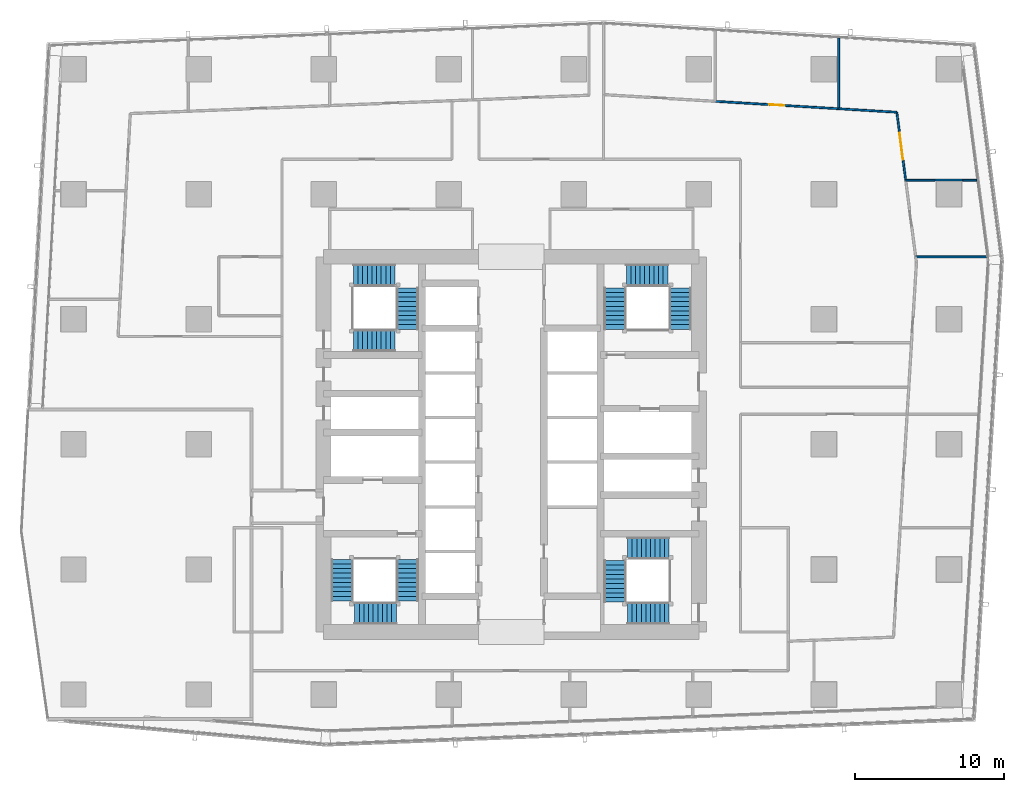
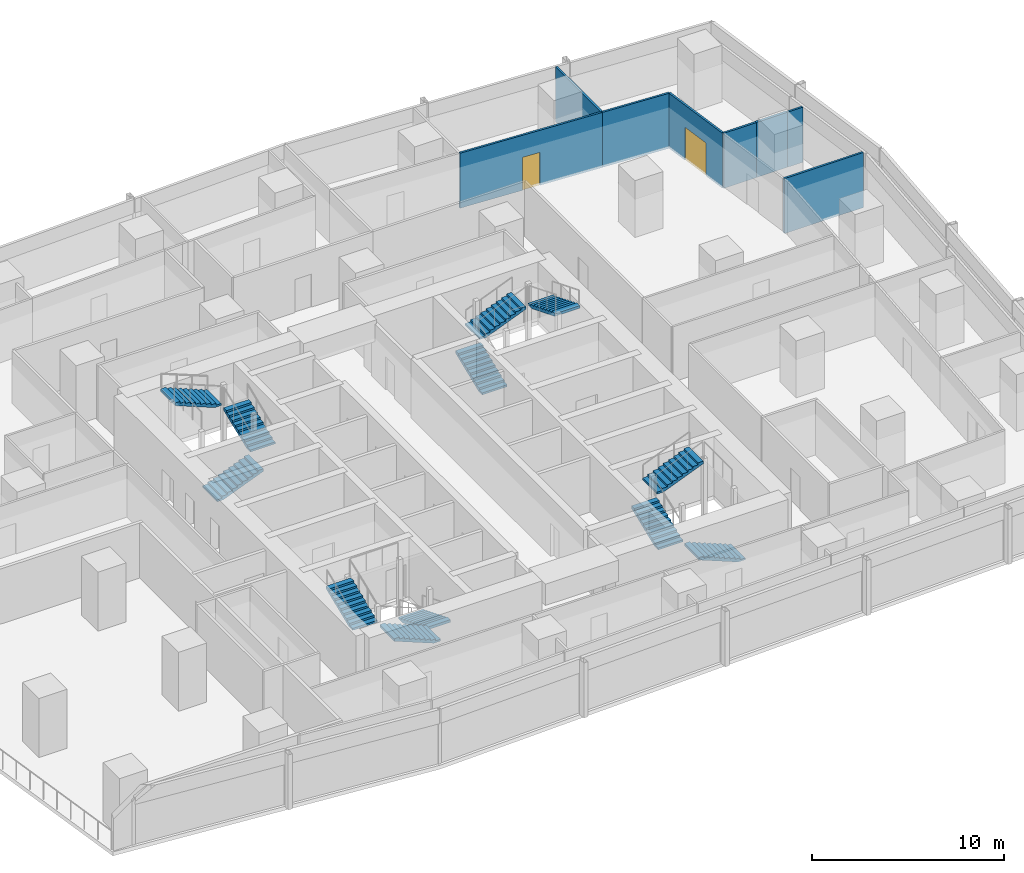
# One storey, part 30 of 38: 12 stair flights, 8 walls, 2 doors, 2 openings, 4 elements without a shape of their own.
"""IFC4 building model written with IfcOpenShell, lengths in metres."""

from ifc_helpers import new_model, si_unit, direction, frame, frame_2d, origin, place, context, subcontext, project, spatial, polyline, rectangle, outline, extrude, material, layer, layer_set, type_object, element, fill, aggregate, save


model = new_model("IFC4")

# Units and contexts
model_context = context("Model", 3, precision=1e-05, world=origin(), true_north=direction((0.0, 1.0)))
body_context = subcontext(model_context, "Body", "Model", "MODEL_VIEW")
ifc_project = project(units=[si_unit("LENGTHUNIT", "METRE"), si_unit("AREAUNIT", "SQUARE_METRE"), si_unit("VOLUMEUNIT", "CUBIC_METRE"), si_unit("PLANEANGLEUNIT", "RADIAN"), si_unit("MASSUNIT", "GRAM", prefix="KILO")], contexts=[model_context])

# Site, building, storey
site_placement = place(None, origin())
site = spatial("IfcSite", under=ifc_project, at=site_placement, CompositionType="ELEMENT")
building_placement = place(site_placement, origin())
building = spatial("IfcBuilding", under=site, at=building_placement, Name="Rekha Terrace Tower", CompositionType="ELEMENT")
storey_placement = place(building_placement, frame((0.0, 0.0, 114.050048828125)))
storey = spatial("IfcBuildingStorey", under=building, at=storey_placement, Name="L28", CompositionType="ELEMENT", Elevation=114.050048828125)

# Walls
ifc_material_1 = material(Name="Concrete block masonry, 1 hour", Category="masonry")
ifc_layer_1 = layer(ifc_material_1, 0.14990234375)
ifc_layer_set_1 = layer_set([ifc_layer_1], Name="Concrete block masonry, 1 hour")
wall_type_1 = type_object("IfcWallType", Name="WP2 150 tenancy partition", PredefinedType="PARTITIONING", material=ifc_layer_set_1)
wall_1_placement = place(storey_placement, frame((68.139892578125, 51.35498046875, 0.0), z_axis=(0.0, 0.0, 1.0), x_axis=(-1.0, 0.0, 0.0)))
element("IfcWall", 1, at=wall_1_placement, inside=storey, type_object=wall_type_1, Name="Partition L28-O1", PredefinedType="PARTITIONING", context=body_context, shape_type="SweptSolid", body=[
    extrude(rectangle(XDim=1.8798828125, YDim=0.14990234375, at=frame_2d((0.93994140625, 0.0))), origin(), (0.0, 0.0, 1.0), 3.5),
])
ifc_material_2 = material(Name="Two layers of fire-rated gypsum board each side on steel studs, acoustic quilt, 1 hour", Category="steel")
ifc_layer_2 = layer(ifc_material_2, 0.125)
ifc_layer_set_2 = layer_set([ifc_layer_2], Name="Two layers of fire-rated gypsum board each side on steel studs, acoustic quilt, 1 hour")
wall_type_2 = type_object("IfcWallType", Name="WP3 125 office partition", PredefinedType="PARTITIONING", material=ifc_layer_set_2)
wall_2_placement = place(storey_placement, frame((64.966064453125, 46.196044921875, 0.0), z_axis=(0.0, 0.0, 1.0), x_axis=(1.0, 0.0, 0.0)))
element("IfcWall", 2, at=wall_2_placement, inside=storey, type_object=wall_type_2, Name="Partition L28-06", PredefinedType="PARTITIONING", context=body_context, shape_type="SweptSolid", body=[
    extrude(rectangle(XDim=4.760009765625, YDim=0.125, at=frame_2d((2.3798828125, 0.0))), origin(), (0.0, 0.0, 1.0), 3.5),
])
wall_3_placement = place(storey_placement, frame((64.297119140625, 51.337890625, 0.0), z_axis=(0.0, 0.0, 1.0), x_axis=(1.0, 0.0, 0.0)))
element("IfcWall", 3, at=wall_3_placement, inside=storey, type_object=wall_type_2, Name="Partition L28-07", PredefinedType="PARTITIONING", context=body_context, shape_type="SweptSolid", body=[
    extrude(rectangle(XDim=1.962890625, YDim=0.125, at=frame_2d((0.9814453125, 0.0))), origin(), (0.0, 0.0, 1.0), 3.5),
])
wall_4_placement = place(storey_placement, frame((68.139892578125, 51.337890625, 0.0), z_axis=(0.0, 0.0, 1.0), x_axis=(1.0, 0.0, 0.0)))
element("IfcWall", 4, at=wall_4_placement, inside=storey, type_object=wall_type_2, Name="Partition L28-07", PredefinedType="PARTITIONING", context=body_context, shape_type="SweptSolid", body=[
    extrude(rectangle(XDim=0.9169921875, YDim=0.125, at=frame_2d((0.45849609375, 0.0))), origin(), (0.0, 0.0, 1.0), 3.5),
])
wall_5_placement = place(storey_placement, frame((59.7880859375, 56.14501953125, 0.0), z_axis=(0.0, 0.0, 1.0), x_axis=(0.0, 1.0, 0.0)))
element("IfcWall", 5, at=wall_5_placement, inside=storey, type_object=wall_type_2, Name="Partition L28-08", PredefinedType="PARTITIONING", context=body_context, shape_type="SweptSolid", body=[
    extrude(rectangle(XDim=4.758056640625, YDim=0.125, at=frame_2d((2.37890625, 0.0))), origin(), (0.0, 0.0, 1.0), 3.5),
])

# Wall, opening, door
wall_6_placement = place(storey_placement, frame((64.297119140625, 51.339111328125, 0.0), z_axis=(0.0, 0.0, 1.0), x_axis=(-0.129339184068, 0.991600411186, 0.0)))
wall_6 = element("IfcWall", 6, at=wall_6_placement, inside=storey, type_object=wall_type_2, Name="Partition L28-08", PredefinedType="PARTITIONING", context=body_context, shape_type="SweptSolid", body=[
    extrude(rectangle(XDim=4.609619140625, YDim=0.125, at=frame_2d((2.3046875, 0.0))), origin(), (0.0, 0.0, 1.0), 3.5),
])
opening_1_placement = place(wall_6_placement, frame((1.405029296875, 0.0, 0.0)))
opening_1 = element("IfcOpeningElement", 7, at=opening_1_placement, cuts=wall_6, Name="Opening D8", PredefinedType="OPENING", context=body_context, shape_type="SweptSolid", body=[
    extrude(rectangle(XDim=1.800048828125, YDim=2.10009765625, at=frame_2d((0.89990234375, 1.050048828125))), frame((0.0, 0.072509765625, 0.0), z_axis=(0.0, -1.0, 0.0), x_axis=(1.0, 0.0, 0.0)), (0.0, 0.0, 1.0), 0.14501953125),
])
ifc_material_3 = material(Name="Timber fire door", Category="wood")
door_type_1 = type_object("IfcDoorType", Name="D8 1800x2100 double leaf door", OperationType="DOUBLE_DOOR_SINGLE_SWING", PredefinedType="DOOR", material=ifc_material_3)
door_1_placement = place(opening_1_placement, origin())
door_1 = element("IfcDoor", 8, at=door_1_placement, inside=storey, type_object=door_type_1, Name="Door meeting room L28", OperationType="DOUBLE_DOOR_SINGLE_SWING", OverallHeight=2.10009765625, OverallWidth=1.800048828125, PredefinedType="DOOR", context=body_context, shape_type="SweptSolid", body=[
    extrude(rectangle(XDim=1.800048828125, YDim=2.10009765625, at=frame_2d((0.89990234375, 1.050048828125))), frame((0.0, 0.02490234375, 0.0), z_axis=(0.0, -1.0, 0.0), x_axis=(1.0, 0.0, 0.0)), (0.0, 0.0, 1.0), 0.050048828125),
])
fill(opening_1, door_1)

# Wall
wall_7_placement = place(storey_placement, frame((63.700927734375, 55.909912109375, 0.0), z_axis=(0.0, 0.0, 1.0), x_axis=(-0.998199703309, 0.059977931883, 0.0)))
element("IfcWall", 9, at=wall_7_placement, inside=storey, type_object=wall_type_2, Name="Partition L28-08", PredefinedType="PARTITIONING", context=body_context, shape_type="SweptSolid", body=[
    extrude(rectangle(XDim=3.919921875, YDim=0.125, at=frame_2d((1.9599609375, 0.0))), origin(), (0.0, 0.0, 1.0), 3.5),
])

# Wall, opening, door
wall_8_placement = place(storey_placement, frame((59.787109375, 56.14501953125, 0.0), z_axis=(0.0, 0.0, 1.0), x_axis=(-0.998201048184, 0.059955545233, 0.0)))
wall_8 = element("IfcWall", 10, at=wall_8_placement, inside=storey, type_object=wall_type_2, Name="Partition L28-09", PredefinedType="PARTITIONING", context=body_context, shape_type="SweptSolid", body=[
    extrude(rectangle(XDim=8.306884765625, YDim=0.125, at=frame_2d((4.1533203125, 0.0))), origin(), (0.0, 0.0, 1.0), 3.5),
])
opening_2_placement = place(wall_8_placement, frame((3.653076171875, 0.0, 0.0)))
opening_2 = element("IfcOpeningElement", 11, at=opening_2_placement, cuts=wall_8, Name="Opening D9", PredefinedType="OPENING", context=body_context, shape_type="SweptSolid", body=[
    extrude(rectangle(XDim=1.0, YDim=2.10009765625, at=frame_2d((0.5, 1.050048828125))), frame((0.0, 0.072509765625, 0.0), z_axis=(0.0, -1.0, 0.0), x_axis=(1.0, 0.0, 0.0)), (0.0, 0.0, 1.0), 0.14501953125),
])
door_type_2 = type_object("IfcDoorType", Name="D9 1000x2100 office door", OperationType="SINGLE_SWING_LEFT", PredefinedType="DOOR", material=ifc_material_3)
door_2_placement = place(opening_2_placement, origin())
door_2 = element("IfcDoor", 12, at=door_2_placement, inside=storey, type_object=door_type_2, Name="Door office L28", OperationType="SINGLE_SWING_LEFT", OverallHeight=2.10009765625, OverallWidth=1.0, PredefinedType="DOOR", context=body_context, shape_type="SweptSolid", body=[
    extrude(rectangle(XDim=1.0, YDim=2.10009765625, at=frame_2d((0.5, 1.050048828125))), frame((0.0, 0.02490234375, 0.0), z_axis=(0.0, -1.0, 0.0), x_axis=(1.0, 0.0, 0.0)), (0.0, 0.0, 1.0), 0.050048828125),
])
fill(opening_2, door_2)

# Stair, stair flights
ifc_material_4 = material(Name="Concrete M40", Category="concrete")
stair_type = type_object("IfcStairType", Name="ST30 stair, 30 risers of 125, going 310, 1500 wide flights, 3 flights", PredefinedType="HALF_TURN_STAIR", material=ifc_material_4)
stair_1_placement = place(storey_placement, origin())
stair_1 = element("IfcStair", 13, at=stair_1_placement, inside=storey, type_object=stair_type, Name="Stair ST1 L28 to L29", PredefinedType="HALF_TURN_STAIR")
stair_flight_type = type_object("IfcStairFlightType", Name="SF10 stair flight, 10 risers of 125, going 310, 1500 wide", PredefinedType="STRAIGHT", material=ifc_material_4)
stair_flight_1_placement = place(storey_placement, frame((30.824951171875, 25.875, 0.0), z_axis=(0.0, 0.0, 1.0), x_axis=(0.0, -1.0, 0.0)))
stair_flight_1 = element("IfcStairFlight", 14, at=stair_flight_1_placement, type_object=stair_flight_type, Name="ST1 flight 1", NumberOfRisers=10, NumberOfTreads=9, PredefinedType="STRAIGHT", RiserHeight=0.125, TreadLength=0.31, context=body_context, shape_type="SweptSolid", body=[
    extrude(outline(polyline([(0.0, 0.0), (0.0, 0.125), (0.31005859375, 0.125), (0.31005859375, 0.25), (0.6201171875, 0.25), (0.6201171875, 0.375), (0.929931640625, 0.375), (0.929931640625, 0.5), (1.239990234375, 0.5), (1.239990234375, 0.625), (1.550048828125, 0.625), (1.550048828125, 0.75), (1.860107421875, 0.75), (1.860107421875, 0.875), (2.169921875, 0.875), (2.169921875, 1.0), (2.47998046875, 1.0), (2.47998046875, 1.125), (2.7900390625, 1.125), (2.7900390625, 1.25), (2.7900390625, 0.96337890625), (0.40087890625, 0.0), (0.0, 0.0)])), frame((0.0, 0.75, 0.0), z_axis=(0.0, -1.0, 0.0), x_axis=(1.0, 0.0, 0.0)), (0.0, 0.0, 1.0), 1.5),
])
stair_flight_2_placement = place(storey_placement, frame((30.074951171875, 22.25, 1.25), z_axis=(0.0, 0.0, 1.0), x_axis=(-1.0, 0.0, 0.0)))
stair_flight_2 = element("IfcStairFlight", 15, at=stair_flight_2_placement, type_object=stair_flight_type, Name="ST1 flight 2", NumberOfRisers=10, NumberOfTreads=9, PredefinedType="STRAIGHT", RiserHeight=0.125, TreadLength=0.31, context=body_context, shape_type="SweptSolid", body=[
    extrude(outline(polyline([(0.0, 0.0), (0.0, 0.125), (0.31005859375, 0.125), (0.31005859375, 0.25), (0.6201171875, 0.25), (0.6201171875, 0.375), (0.929931640625, 0.375), (0.929931640625, 0.5), (1.239990234375, 0.5), (1.239990234375, 0.625), (1.550048828125, 0.625), (1.550048828125, 0.75), (1.860107421875, 0.75), (1.860107421875, 0.875), (2.169921875, 0.875), (2.169921875, 1.0), (2.47998046875, 1.0), (2.47998046875, 1.125), (2.7900390625, 1.125), (2.7900390625, 1.25), (2.7900390625, 0.96337890625), (0.40087890625, 0.0), (0.0, 0.0)])), frame((0.0, 0.75, 0.0), z_axis=(0.0, -1.0, 0.0), x_axis=(1.0, 0.0, 0.0)), (0.0, 0.0, 1.0), 1.5),
])
stair_flight_3_placement = place(storey_placement, frame((26.449951171875, 23.0849609375, 2.5), z_axis=(0.0, 0.0, 1.0), x_axis=(0.0, 1.0, 0.0)))
stair_flight_3 = element("IfcStairFlight", 16, at=stair_flight_3_placement, type_object=stair_flight_type, Name="ST1 flight 3", NumberOfRisers=10, NumberOfTreads=9, PredefinedType="STRAIGHT", RiserHeight=0.125, TreadLength=0.31, context=body_context, shape_type="SweptSolid", body=[
    extrude(outline(polyline([(0.0, 0.0), (0.0, 0.125), (0.31005859375, 0.125), (0.31005859375, 0.25), (0.6201171875, 0.25), (0.6201171875, 0.375), (0.929931640625, 0.375), (0.929931640625, 0.5), (1.239990234375, 0.5), (1.239990234375, 0.625), (1.550048828125, 0.625), (1.550048828125, 0.75), (1.860107421875, 0.75), (1.860107421875, 0.875), (2.169921875, 0.875), (2.169921875, 1.0), (2.47998046875, 1.0), (2.47998046875, 1.125), (2.7900390625, 1.125), (2.7900390625, 1.25), (2.7900390625, 0.96337890625), (0.40087890625, 0.0), (0.0, 0.0)])), frame((0.0, 0.75, 0.0), z_axis=(0.0, -1.0, 0.0), x_axis=(1.0, 0.0, 0.0)), (0.0, 0.0, 1.0), 1.5),
])
aggregate(stair_1, [stair_flight_1, stair_flight_2, stair_flight_3])

stair_2_placement = place(storey_placement, origin())
stair_2 = element("IfcStair", 17, at=stair_2_placement, inside=storey, type_object=stair_type, Name="Stair ST2 L28 to L29", PredefinedType="HALF_TURN_STAIR")
stair_flight_4_placement = place(storey_placement, frame((44.77490234375, 41.324951171875, 0.0), z_axis=(0.0, 0.0, 1.0), x_axis=(0.0, 1.0, 0.0)))
stair_flight_4 = element("IfcStairFlight", 18, at=stair_flight_4_placement, type_object=stair_flight_type, Name="ST2 flight 1", NumberOfRisers=10, NumberOfTreads=9, PredefinedType="STRAIGHT", RiserHeight=0.125, TreadLength=0.31, context=body_context, shape_type="SweptSolid", body=[
    extrude(outline(polyline([(0.0, 0.0), (0.0, 0.125), (0.31005859375, 0.125), (0.31005859375, 0.25), (0.6201171875, 0.25), (0.6201171875, 0.375), (0.929931640625, 0.375), (0.929931640625, 0.5), (1.239990234375, 0.5), (1.239990234375, 0.625), (1.550048828125, 0.625), (1.550048828125, 0.75), (1.860107421875, 0.75), (1.860107421875, 0.875), (2.169921875, 0.875), (2.169921875, 1.0), (2.47998046875, 1.0), (2.47998046875, 1.125), (2.7900390625, 1.125), (2.7900390625, 1.25), (2.7900390625, 0.96337890625), (0.40087890625, 0.0), (0.0, 0.0)])), frame((0.0, 0.75, 0.0), z_axis=(0.0, -1.0, 0.0), x_axis=(1.0, 0.0, 0.0)), (0.0, 0.0, 1.0), 1.5),
])
stair_flight_5_placement = place(storey_placement, frame((45.52490234375, 44.949951171875, 1.25), z_axis=(0.0, 0.0, 1.0), x_axis=(1.0, 0.0, 0.0)))
stair_flight_5 = element("IfcStairFlight", 19, at=stair_flight_5_placement, type_object=stair_flight_type, Name="ST2 flight 2", NumberOfRisers=10, NumberOfTreads=9, PredefinedType="STRAIGHT", RiserHeight=0.125, TreadLength=0.31, context=body_context, shape_type="SweptSolid", body=[
    extrude(outline(polyline([(0.0, 0.0), (0.0, 0.125), (0.31005859375, 0.125), (0.31005859375, 0.25), (0.6201171875, 0.25), (0.6201171875, 0.375), (0.929931640625, 0.375), (0.929931640625, 0.5), (1.239990234375, 0.5), (1.239990234375, 0.625), (1.550048828125, 0.625), (1.550048828125, 0.75), (1.860107421875, 0.75), (1.860107421875, 0.875), (2.169921875, 0.875), (2.169921875, 1.0), (2.47998046875, 1.0), (2.47998046875, 1.125), (2.7900390625, 1.125), (2.7900390625, 1.25), (2.7900390625, 0.96337890625), (0.40087890625, 0.0), (0.0, 0.0)])), frame((0.0, 0.75, 0.0), z_axis=(0.0, -1.0, 0.0), x_axis=(1.0, 0.0, 0.0)), (0.0, 0.0, 1.0), 1.5),
])
stair_flight_6_placement = place(storey_placement, frame((49.14990234375, 44.114990234375, 2.5), z_axis=(0.0, 0.0, 1.0), x_axis=(0.0, -1.0, 0.0)))
stair_flight_6 = element("IfcStairFlight", 20, at=stair_flight_6_placement, type_object=stair_flight_type, Name="ST2 flight 3", NumberOfRisers=10, NumberOfTreads=9, PredefinedType="STRAIGHT", RiserHeight=0.125, TreadLength=0.31, context=body_context, shape_type="SweptSolid", body=[
    extrude(outline(polyline([(0.0, 0.0), (0.0, 0.125), (0.31005859375, 0.125), (0.31005859375, 0.25), (0.6201171875, 0.25), (0.6201171875, 0.375), (0.929931640625, 0.375), (0.929931640625, 0.5), (1.239990234375, 0.5), (1.239990234375, 0.625), (1.550048828125, 0.625), (1.550048828125, 0.75), (1.860107421875, 0.75), (1.860107421875, 0.875), (2.169921875, 0.875), (2.169921875, 1.0), (2.47998046875, 1.0), (2.47998046875, 1.125), (2.7900390625, 1.125), (2.7900390625, 1.25), (2.7900390625, 0.96337890625), (0.40087890625, 0.0), (0.0, 0.0)])), frame((0.0, 0.75, 0.0), z_axis=(0.0, -1.0, 0.0), x_axis=(1.0, 0.0, 0.0)), (0.0, 0.0, 1.0), 1.5),
])
aggregate(stair_2, [stair_flight_4, stair_flight_5, stair_flight_6])

stair_3_placement = place(storey_placement, origin())
stair_3 = element("IfcStair", 21, at=stair_3_placement, inside=storey, type_object=stair_type, Name="Stair ST3 L28 to L29", PredefinedType="HALF_TURN_STAIR")
stair_flight_7_placement = place(storey_placement, frame((48.39990234375, 22.25, 0.0), z_axis=(0.0, 0.0, 1.0), x_axis=(-1.0, 0.0, 0.0)))
stair_flight_7 = element("IfcStairFlight", 22, at=stair_flight_7_placement, type_object=stair_flight_type, Name="ST3 flight 1", NumberOfRisers=10, NumberOfTreads=9, PredefinedType="STRAIGHT", RiserHeight=0.125, TreadLength=0.31, context=body_context, shape_type="SweptSolid", body=[
    extrude(outline(polyline([(0.0, 0.0), (0.0, 0.125), (0.31005859375, 0.125), (0.31005859375, 0.25), (0.6201171875, 0.25), (0.6201171875, 0.375), (0.929931640625, 0.375), (0.929931640625, 0.5), (1.239990234375, 0.5), (1.239990234375, 0.625), (1.550048828125, 0.625), (1.550048828125, 0.75), (1.860107421875, 0.75), (1.860107421875, 0.875), (2.169921875, 0.875), (2.169921875, 1.0), (2.47998046875, 1.0), (2.47998046875, 1.125), (2.7900390625, 1.125), (2.7900390625, 1.25), (2.7900390625, 0.96337890625), (0.40087890625, 0.0), (0.0, 0.0)])), frame((0.0, 0.75, 0.0), z_axis=(0.0, -1.0, 0.0), x_axis=(1.0, 0.0, 0.0)), (0.0, 0.0, 1.0), 1.5),
])
stair_flight_8_placement = place(storey_placement, frame((44.77490234375, 23.0, 1.25), z_axis=(0.0, 0.0, 1.0), x_axis=(0.0, 1.0, 0.0)))
stair_flight_8 = element("IfcStairFlight", 23, at=stair_flight_8_placement, type_object=stair_flight_type, Name="ST3 flight 2", NumberOfRisers=10, NumberOfTreads=9, PredefinedType="STRAIGHT", RiserHeight=0.125, TreadLength=0.31, context=body_context, shape_type="SweptSolid", body=[
    extrude(outline(polyline([(0.0, 0.0), (0.0, 0.125), (0.31005859375, 0.125), (0.31005859375, 0.25), (0.6201171875, 0.25), (0.6201171875, 0.375), (0.929931640625, 0.375), (0.929931640625, 0.5), (1.239990234375, 0.5), (1.239990234375, 0.625), (1.550048828125, 0.625), (1.550048828125, 0.75), (1.860107421875, 0.75), (1.860107421875, 0.875), (2.169921875, 0.875), (2.169921875, 1.0), (2.47998046875, 1.0), (2.47998046875, 1.125), (2.7900390625, 1.125), (2.7900390625, 1.25), (2.7900390625, 0.96337890625), (0.40087890625, 0.0), (0.0, 0.0)])), frame((0.0, 0.75, 0.0), z_axis=(0.0, -1.0, 0.0), x_axis=(1.0, 0.0, 0.0)), (0.0, 0.0, 1.0), 1.5),
])
stair_flight_9_placement = place(storey_placement, frame((45.610107421875, 26.625, 2.5), z_axis=(0.0, 0.0, 1.0), x_axis=(1.0, 0.0, 0.0)))
stair_flight_9 = element("IfcStairFlight", 24, at=stair_flight_9_placement, type_object=stair_flight_type, Name="ST3 flight 3", NumberOfRisers=10, NumberOfTreads=9, PredefinedType="STRAIGHT", RiserHeight=0.125, TreadLength=0.31, context=body_context, shape_type="SweptSolid", body=[
    extrude(outline(polyline([(0.0, 0.0), (0.0, 0.125), (0.31005859375, 0.125), (0.31005859375, 0.25), (0.6201171875, 0.25), (0.6201171875, 0.375), (0.929931640625, 0.375), (0.929931640625, 0.5), (1.239990234375, 0.5), (1.239990234375, 0.625), (1.550048828125, 0.625), (1.550048828125, 0.75), (1.860107421875, 0.75), (1.860107421875, 0.875), (2.169921875, 0.875), (2.169921875, 1.0), (2.47998046875, 1.0), (2.47998046875, 1.125), (2.7900390625, 1.125), (2.7900390625, 1.25), (2.7900390625, 0.96337890625), (0.40087890625, 0.0), (0.0, 0.0)])), frame((0.0, 0.75, 0.0), z_axis=(0.0, -1.0, 0.0), x_axis=(1.0, 0.0, 0.0)), (0.0, 0.0, 1.0), 1.5),
])
aggregate(stair_3, [stair_flight_7, stair_flight_8, stair_flight_9])

stair_4_placement = place(storey_placement, origin())
stair_4 = element("IfcStair", 25, at=stair_4_placement, inside=storey, type_object=stair_type, Name="Stair ST4 L28 to L29", PredefinedType="HALF_TURN_STAIR")
stair_flight_10_placement = place(storey_placement, frame((27.199951171875, 40.574951171875, 0.0), z_axis=(0.0, 0.0, 1.0), x_axis=(1.0, 0.0, 0.0)))
stair_flight_10 = element("IfcStairFlight", 26, at=stair_flight_10_placement, type_object=stair_flight_type, Name="ST4 flight 1", NumberOfRisers=10, NumberOfTreads=9, PredefinedType="STRAIGHT", RiserHeight=0.125, TreadLength=0.31, context=body_context, shape_type="SweptSolid", body=[
    extrude(outline(polyline([(0.0, 0.0), (0.0, 0.125), (0.31005859375, 0.125), (0.31005859375, 0.25), (0.6201171875, 0.25), (0.6201171875, 0.375), (0.929931640625, 0.375), (0.929931640625, 0.5), (1.239990234375, 0.5), (1.239990234375, 0.625), (1.550048828125, 0.625), (1.550048828125, 0.75), (1.860107421875, 0.75), (1.860107421875, 0.875), (2.169921875, 0.875), (2.169921875, 1.0), (2.47998046875, 1.0), (2.47998046875, 1.125), (2.7900390625, 1.125), (2.7900390625, 1.25), (2.7900390625, 0.96337890625), (0.40087890625, 0.0), (0.0, 0.0)])), frame((0.0, 0.75, 0.0), z_axis=(0.0, -1.0, 0.0), x_axis=(1.0, 0.0, 0.0)), (0.0, 0.0, 1.0), 1.5),
])
stair_flight_11_placement = place(storey_placement, frame((30.824951171875, 41.324951171875, 1.25), z_axis=(0.0, 0.0, 1.0), x_axis=(0.0, 1.0, 0.0)))
stair_flight_11 = element("IfcStairFlight", 27, at=stair_flight_11_placement, type_object=stair_flight_type, Name="ST4 flight 2", NumberOfRisers=10, NumberOfTreads=9, PredefinedType="STRAIGHT", RiserHeight=0.125, TreadLength=0.31, context=body_context, shape_type="SweptSolid", body=[
    extrude(outline(polyline([(0.0, 0.0), (0.0, 0.125), (0.31005859375, 0.125), (0.31005859375, 0.25), (0.6201171875, 0.25), (0.6201171875, 0.375), (0.929931640625, 0.375), (0.929931640625, 0.5), (1.239990234375, 0.5), (1.239990234375, 0.625), (1.550048828125, 0.625), (1.550048828125, 0.75), (1.860107421875, 0.75), (1.860107421875, 0.875), (2.169921875, 0.875), (2.169921875, 1.0), (2.47998046875, 1.0), (2.47998046875, 1.125), (2.7900390625, 1.125), (2.7900390625, 1.25), (2.7900390625, 0.96337890625), (0.40087890625, 0.0), (0.0, 0.0)])), frame((0.0, 0.75, 0.0), z_axis=(0.0, -1.0, 0.0), x_axis=(1.0, 0.0, 0.0)), (0.0, 0.0, 1.0), 1.5),
])
stair_flight_12_placement = place(storey_placement, frame((29.989990234375, 44.949951171875, 2.5), z_axis=(0.0, 0.0, 1.0), x_axis=(-1.0, 0.0, 0.0)))
stair_flight_12 = element("IfcStairFlight", 28, at=stair_flight_12_placement, type_object=stair_flight_type, Name="ST4 flight 3", NumberOfRisers=10, NumberOfTreads=9, PredefinedType="STRAIGHT", RiserHeight=0.125, TreadLength=0.31, context=body_context, shape_type="SweptSolid", body=[
    extrude(outline(polyline([(0.0, 0.0), (0.0, 0.125), (0.31005859375, 0.125), (0.31005859375, 0.25), (0.6201171875, 0.25), (0.6201171875, 0.375), (0.929931640625, 0.375), (0.929931640625, 0.5), (1.239990234375, 0.5), (1.239990234375, 0.625), (1.550048828125, 0.625), (1.550048828125, 0.75), (1.860107421875, 0.75), (1.860107421875, 0.875), (2.169921875, 0.875), (2.169921875, 1.0), (2.47998046875, 1.0), (2.47998046875, 1.125), (2.7900390625, 1.125), (2.7900390625, 1.25), (2.7900390625, 0.96337890625), (0.40087890625, 0.0), (0.0, 0.0)])), frame((0.0, 0.75, 0.0), z_axis=(0.0, -1.0, 0.0), x_axis=(1.0, 0.0, 0.0)), (0.0, 0.0, 1.0), 1.5),
])
aggregate(stair_4, [stair_flight_10, stair_flight_11, stair_flight_12])

save(model, "model.ifc")
